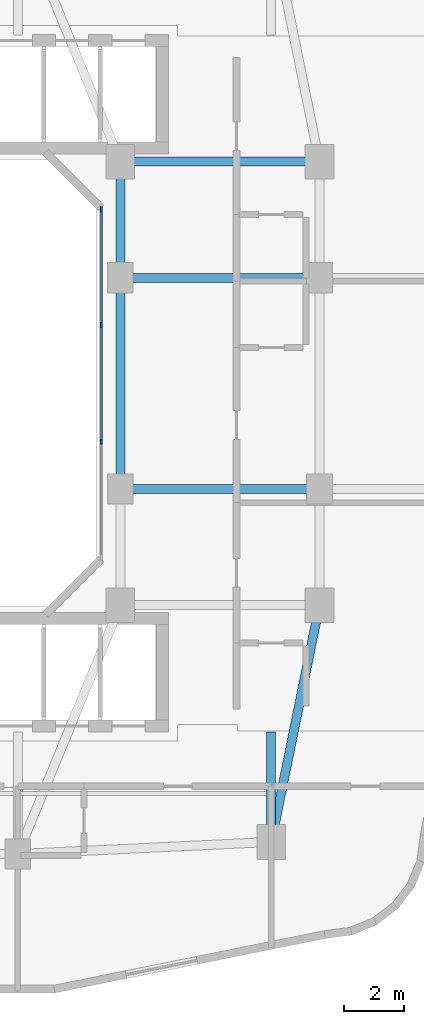
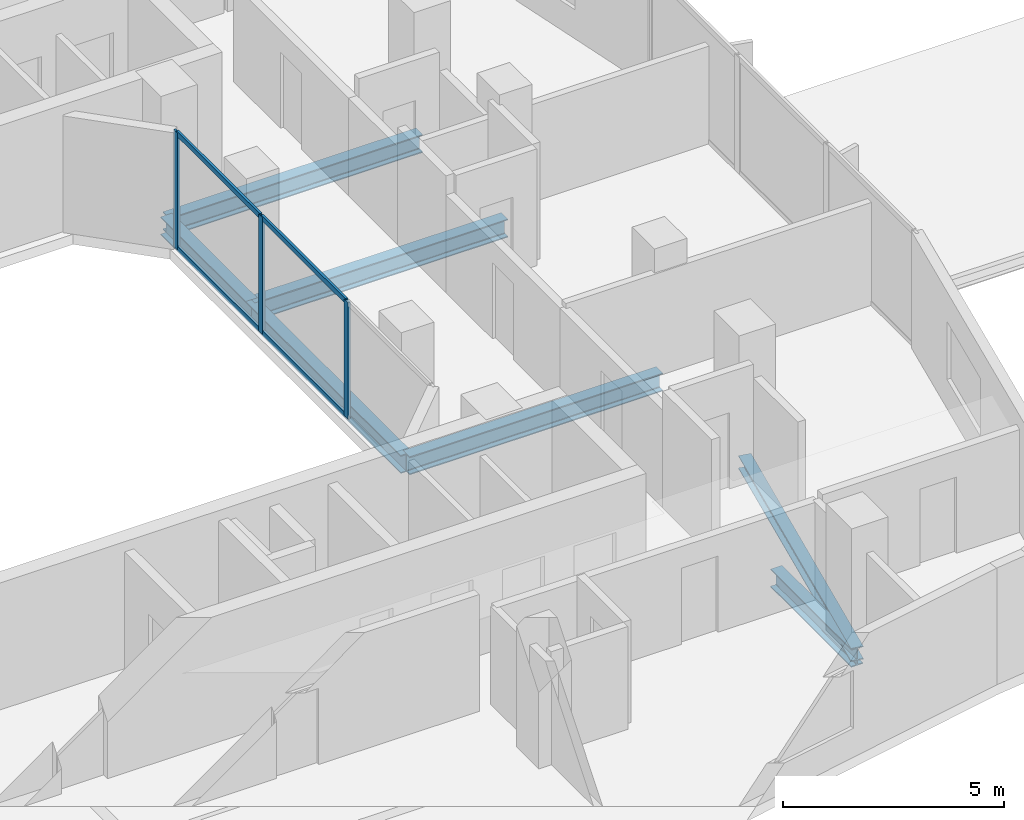
# One storey, part 3 of 22: 7 beams, 7 members, 1 element without a shape of its own.
"""IFC4 building model written with IfcOpenShell, lengths in metres."""

from ifc_helpers import new_model, si_unit, derived_unit, direction, frame, origin, origin_2d, place, context, subcontext, project, spatial, rectangle, i_section, extrude, material, layer, layer_set, material_profile, profile_set, type_object, element, aggregate, save


model = new_model("IFC4")

# Units and contexts
model_context = context("Model", 3, precision=1e-05, world=origin(), true_north=direction((0.0, 1.0)))
body_context = subcontext(model_context, "Body", "Model", "MODEL_VIEW")
ifc_project = project(units=[si_unit("LENGTHUNIT", "METRE"), si_unit("AREAUNIT", "SQUARE_METRE"), si_unit("VOLUMEUNIT", "CUBIC_METRE"), si_unit("PLANEANGLEUNIT", "RADIAN"), si_unit("MASSUNIT", "GRAM", prefix="KILO"), derived_unit("THERMALTRANSMITTANCEUNIT", [(si_unit("POWERUNIT", "WATT"), 1), (si_unit("LENGTHUNIT", "METRE"), -2), (si_unit("THERMODYNAMICTEMPERATUREUNIT", "KELVIN"), -1)])], contexts=[model_context])

# Site, building, storey
site_placement = place(None, origin())
site = spatial("IfcSite", under=ifc_project, at=site_placement, CompositionType="ELEMENT")
building_placement = place(site_placement, origin())
building = spatial("IfcBuilding", under=site, at=building_placement, Name="Kivonza Crest Hotel", CompositionType="ELEMENT")
storey_placement = place(building_placement, frame((0.0, 0.0, 124.0)))
storey = spatial("IfcBuildingStorey", under=building, at=storey_placement, Name="L33", CompositionType="ELEMENT", Elevation=124.0)

# Beams
ifc_material_1 = material(Name="Steel S355", Category="steel")
ifc_material_profile_1 = material_profile(ifc_material_1, i_section(OverallWidth=0.300048828125, OverallDepth=0.360107421875, WebThickness=0.012451171875, FlangeThickness=0.0224609375, FilletRadius=0.027099609375, at=origin_2d()), Name="HEB 360")
ifc_profile_set_1 = profile_set([ifc_material_profile_1], Name="Steel S355")
beam_type_1 = type_object("IfcBeamType", Name="BM-HEB360", PredefinedType="SPANDREL", material=ifc_profile_set_1)
beam_1_placement = place(storey_placement, frame((34.199951171875, 9.800048828125, -0.4599609375), z_axis=(0.199730733965, 0.979850822273, 0.0), x_axis=(-0.979850822273, 0.199730733965, 0.0)))
element("IfcBeam", 1, at=beam_1_placement, inside=storey, type_object=beam_type_1, Name="Tower T1 L33 perimeter spandrel SE-PSE", PredefinedType="SPANDREL", context=body_context, shape_type="SweptSolid", body=[
    extrude(i_section(OverallWidth=0.300048828125, OverallDepth=0.360107421875, WebThickness=0.012451171875, FlangeThickness=0.0224609375, FilletRadius=0.027099609375, at=origin_2d()), origin(), (0.0, 0.0, 1.0), 8.01123046875),
])
ifc_material_profile_2 = material_profile(ifc_material_1, i_section(OverallWidth=0.300048828125, OverallDepth=0.5, WebThickness=0.014404296875, FlangeThickness=0.028076171875, FilletRadius=0.027099609375, at=origin_2d()), Name="HEB 500")
ifc_profile_set_2 = profile_set([ifc_material_profile_2], Name="Steel S355")
beam_type_2 = type_object("IfcBeamType", Name="BM-HEB500", PredefinedType="BEAM", material=ifc_profile_set_2)
beam_2_placement = place(storey_placement, frame((29.199951171875, 32.35009765625, -0.530029296875), z_axis=(1.0, 0.0, 0.0), x_axis=(0.0, 1.0, 0.0)))
element("IfcBeam", 2, at=beam_2_placement, inside=storey, type_object=beam_type_2, Name="Tower T1 L33 primary girder TNE-PNE", PredefinedType="BEAM", context=body_context, shape_type="SweptSolid", body=[
    extrude(i_section(OverallWidth=0.300048828125, OverallDepth=0.5, WebThickness=0.014404296875, FlangeThickness=0.028076171875, FilletRadius=0.027099609375, at=origin_2d()), origin(), (0.0, 0.0, 1.0), 6.60009765625),
])
beam_3_placement = place(storey_placement, frame((29.199951171875, 21.5, -0.530029296875), z_axis=(0.0, 1.0, 0.0), x_axis=(-1.0, 0.0, 0.0)))
element("IfcBeam", 3, at=beam_3_placement, inside=storey, type_object=beam_type_2, Name="Tower T1 L33 primary girder WR1-WR2", PredefinedType="BEAM", context=body_context, shape_type="SweptSolid", body=[
    extrude(i_section(OverallWidth=0.300048828125, OverallDepth=0.5, WebThickness=0.014404296875, FlangeThickness=0.028076171875, FilletRadius=0.027099609375, at=origin_2d()), origin(), (0.0, 0.0, 1.0), 7.0),
])
beam_4_placement = place(storey_placement, frame((29.199951171875, 28.5, -0.530029296875), z_axis=(0.0, 1.0, 0.0), x_axis=(-1.0, 0.0, 0.0)))
element("IfcBeam", 4, at=beam_4_placement, inside=storey, type_object=beam_type_2, Name="Tower T1 L33 primary girder WR2-TNE", PredefinedType="BEAM", context=body_context, shape_type="SweptSolid", body=[
    extrude(i_section(OverallWidth=0.300048828125, OverallDepth=0.5, WebThickness=0.014404296875, FlangeThickness=0.028076171875, FilletRadius=0.027099609375, at=origin_2d()), origin(), (0.0, 0.0, 1.0), 3.85009765625),
])
for number, where, z_axis, x_axis, name in (
    (5, (29.199951171875, 21.5, -0.530029296875), (1.0, 0.0, 0.0), (0.0, 1.0, 0.0), "Tower T1 L33 primary girder WR1-E1"),
    (6, (29.199951171875, 28.5, -0.530029296875), (1.0, 0.0, 0.0), (0.0, 1.0, 0.0), "Tower T1 L33 primary girder WR2-E2"),
):
    element("IfcBeam", number, at=place(storey_placement, frame(where, z_axis=z_axis, x_axis=x_axis)), inside=storey, type_object=beam_type_2, Name=name, PredefinedType="BEAM", context=body_context, shape_type="SweptSolid", body=[
        extrude(i_section(OverallWidth=0.300048828125, OverallDepth=0.5, WebThickness=0.014404296875, FlangeThickness=0.028076171875, FilletRadius=0.027099609375, at=origin_2d()), origin(), (0.0, 0.0, 1.0), 6.60009765625),
    ])
beam_5_placement = place(storey_placement, frame((34.199951171875, 9.800048828125, -0.530029296875), z_axis=(0.0, 1.0, 0.0), x_axis=(-1.0, 0.0, 0.0)))
element("IfcBeam", 7, at=beam_5_placement, inside=storey, type_object=beam_type_2, Name="Tower T1 L33 radial core girder RSE", PredefinedType="BEAM", context=body_context, shape_type="SweptSolid", body=[
    extrude(i_section(OverallWidth=0.300048828125, OverallDepth=0.5, WebThickness=0.014404296875, FlangeThickness=0.028076171875, FilletRadius=0.027099609375, at=origin_2d()), origin(), (0.0, 0.0, 1.0), 3.64990234375),
])

# Curtain wall, members
ifc_material_2 = material(Name="Anodised bronze aluminium and low-E double glazing", Category="aluminium")
ifc_layer = layer(ifc_material_2, 0.159912109375)
ifc_layer_set = layer_set([ifc_layer], Name="Anodised bronze aluminium and low-E double glazing")
curtain_wall_type = type_object("IfcCurtainWallType", Name="CW-SYS-5", PredefinedType="NOTDEFINED", material=ifc_layer_set)
curtain_wall_placement = place(storey_placement, origin())
curtain_wall = element("IfcCurtainWall", 8, at=curtain_wall_placement, inside=storey, type_object=curtain_wall_type, Name="L33 unitised curtain wall CW-WELL-T1-L33-3", PredefinedType="NOTDEFINED")
ifc_material_3 = material(Name="Anodised bronze aluminium", Category="aluminium")
ifc_material_profile_3 = material_profile(ifc_material_3, rectangle(XDim=0.06494140625, YDim=0.179931640625, at=origin_2d()), Name="CW-M 65x180")
ifc_profile_set_3 = profile_set([ifc_material_profile_3], Name="Anodised bronze aluminium")
member_type_1 = type_object("IfcMemberType", Name="CW-MUL-65x180", PredefinedType="MULLION", material=ifc_profile_set_3)
member_1_placement = place(storey_placement, frame((28.56005859375, 23.066650390625, 0.0), z_axis=(0.0, 0.0, 1.0), x_axis=(-1.0, 0.0, 0.0)))
member_1 = element("IfcMember", 9, at=member_1_placement, type_object=member_type_1, Name="CW-5 mullion 2", PredefinedType="MULLION", context=body_context, shape_type="SweptSolid", body=[
    extrude(rectangle(XDim=0.06494140625, YDim=0.179931640625, at=origin_2d()), origin(), (0.0, 0.0, 1.0), 3.219970703125),
])
member_2_placement = place(storey_placement, frame((28.56005859375, 26.933349609375, 0.0), z_axis=(0.0, 0.0, 1.0), x_axis=(-1.0, 0.0, 0.0)))
member_2 = element("IfcMember", 10, at=member_2_placement, type_object=member_type_1, Name="CW-5 mullion 3", PredefinedType="MULLION", context=body_context, shape_type="SweptSolid", body=[
    extrude(rectangle(XDim=0.06494140625, YDim=0.179931640625, at=origin_2d()), origin(), (0.0, 0.0, 1.0), 3.219970703125),
])
member_3_placement = place(storey_placement, frame((28.56005859375, 30.767578125, 0.0), z_axis=(0.0, 0.0, 1.0), x_axis=(-1.0, 0.0, 0.0)))
member_3 = element("IfcMember", 11, at=member_3_placement, type_object=member_type_1, Name="CW-5 mullion 4", PredefinedType="MULLION", context=body_context, shape_type="SweptSolid", body=[
    extrude(rectangle(XDim=0.06494140625, YDim=0.179931640625, at=origin_2d()), origin(), (0.0, 0.0, 1.0), 3.219970703125),
])
ifc_material_profile_4 = material_profile(ifc_material_3, rectangle(XDim=0.06494140625, YDim=0.139892578125, at=origin_2d()), Name="CW-T 65x140")
ifc_profile_set_4 = profile_set([ifc_material_profile_4], Name="Anodised bronze aluminium")
member_type_2 = type_object("IfcMemberType", Name="CW-TRN-65x140", PredefinedType="USERDEFINED", material=ifc_profile_set_4)
member_4_placement = place(storey_placement, frame((28.56005859375, 23.09912109375, 0.032470703125), z_axis=(0.0, 1.0, 0.0), x_axis=(-1.0, 0.0, 0.0)))
member_4 = element("IfcMember", 12, at=member_4_placement, type_object=member_type_2, Name="CW-5 transom 2.1", ObjectType="TRANSOM", PredefinedType="USERDEFINED", context=body_context, shape_type="SweptSolid", body=[
    extrude(rectangle(XDim=0.06494140625, YDim=0.139892578125, at=origin_2d()), origin(), (0.0, 0.0, 1.0), 3.8017578125),
])
member_5_placement = place(storey_placement, frame((28.56005859375, 23.09912109375, 3.1875), z_axis=(0.0, 1.0, 0.0), x_axis=(-1.0, 0.0, 0.0)))
member_5 = element("IfcMember", 13, at=member_5_placement, type_object=member_type_2, Name="CW-5 transom 2.2", ObjectType="TRANSOM", PredefinedType="USERDEFINED", context=body_context, shape_type="SweptSolid", body=[
    extrude(rectangle(XDim=0.06494140625, YDim=0.139892578125, at=origin_2d()), origin(), (0.0, 0.0, 1.0), 3.8017578125),
])
member_6_placement = place(storey_placement, frame((28.56005859375, 26.9658203125, 0.032470703125), z_axis=(0.0, 1.0, 0.0), x_axis=(-1.0, 0.0, 0.0)))
member_6 = element("IfcMember", 14, at=member_6_placement, type_object=member_type_2, Name="CW-5 transom 3.1", ObjectType="TRANSOM", PredefinedType="USERDEFINED", context=body_context, shape_type="SweptSolid", body=[
    extrude(rectangle(XDim=0.06494140625, YDim=0.139892578125, at=origin_2d()), origin(), (0.0, 0.0, 1.0), 3.769287109375),
])
member_7_placement = place(storey_placement, frame((28.56005859375, 26.9658203125, 3.1875), z_axis=(0.0, 1.0, 0.0), x_axis=(-1.0, 0.0, 0.0)))
member_7 = element("IfcMember", 15, at=member_7_placement, type_object=member_type_2, Name="CW-5 transom 3.2", ObjectType="TRANSOM", PredefinedType="USERDEFINED", context=body_context, shape_type="SweptSolid", body=[
    extrude(rectangle(XDim=0.06494140625, YDim=0.139892578125, at=origin_2d()), origin(), (0.0, 0.0, 1.0), 3.769287109375),
])
aggregate(curtain_wall, [member_1, member_2, member_3, member_4, member_5, member_6, member_7])

save(model, "model.ifc")
